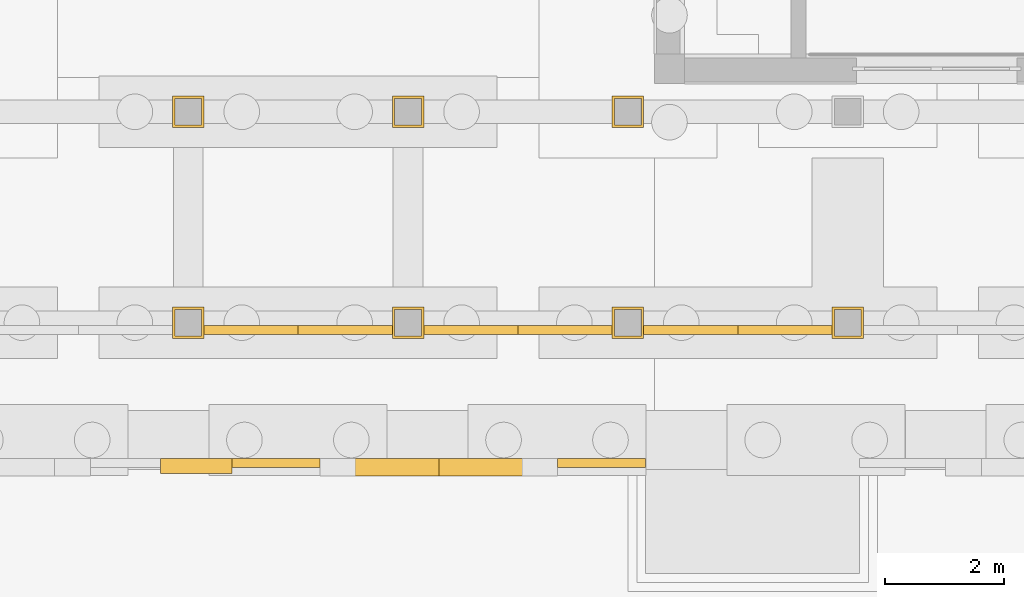
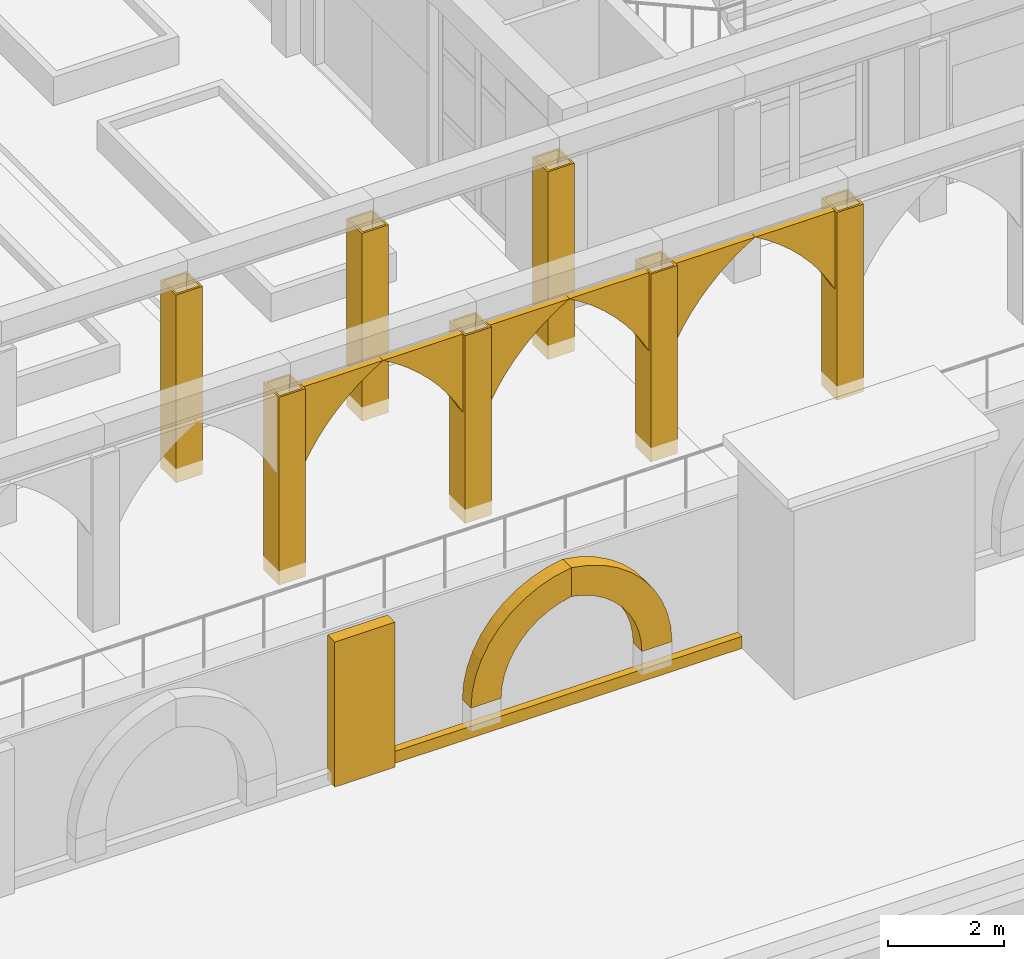
# One storey, part 97 of 161: 17 coverings.
"""IFC4 building model written with IfcOpenShell, lengths in metres."""

import ifcopenshell
import ifcopenshell.guid

model = None  # the IFC model being written
_history = None  # IfcOwnerHistory: only IFC2X3 demands one
_inside = {}  # id of a spatial element -> (the spatial element, [elements in it])
_under = {}  # id of a project, library or spatial element -> (it, [spatial elements below it])
_declared = {}  # id of a project -> (the project, [libraries it declares])
_typed = {}  # id of a type object -> (the type object, [elements of that type])
_made_of = {}  # id of a material, layer set ... -> (it, [elements and type objects made of it])


def new_model(schema):
    """Start an empty IFC model of exactly this schema.

    Asked for "IFC4X3", IfcOpenShell would pick the latest addendum, in which some entities
    have other attributes; the version numbers below select the first issue.
    IFC2X3 requires an IfcOwnerHistory on every rooted entity: one is made here for all.
    """
    global model, _history
    if schema == "IFC4X3":
        model = ifcopenshell.file(schema_version=(4, 3, 0, 0))
    else:
        model = ifcopenshell.file(schema=schema)
    _inside.clear()
    _under.clear()
    _declared.clear()
    _typed.clear()
    _made_of.clear()
    _history = None
    if model.schema == "IFC2X3":
        org = make("IfcOrganization", Name="unknown")
        user = make(
            "IfcPersonAndOrganization",
            ThePerson=make("IfcPerson", FamilyName="unknown"),
            TheOrganization=org,
        )
        app = make(
            "IfcApplication",
            ApplicationDeveloper=org,
            Version="unknown",
            ApplicationFullName="unknown",
            ApplicationIdentifier="unknown",
        )
        _history = make(
            "IfcOwnerHistory",
            OwningUser=user,
            OwningApplication=app,
            ChangeAction="ADDED",
            CreationDate=0,
        )
    return model


def make(cls, **values):
    """One entity of the class cls with the attributes given. An attribute that is None is left unset."""
    return model.create_entity(
        cls, **{name: value for name, value in values.items() if value is not None}
    )


def rooted(cls, **values):
    """An entity with a GlobalId (a new one), such as an element, a storey or a relation."""
    return make(cls, GlobalId=ifcopenshell.guid.new(), OwnerHistory=_history, **values)


def si_unit(unit_type, name, prefix=None):
    """IfcSIUnit, for example si_unit("LENGTHUNIT", "METRE", prefix="MILLI")."""
    return make("IfcSIUnit", UnitType=unit_type, Prefix=prefix, Name=name)


def assignment(units):
    """IfcUnitAssignment: the units of a project."""
    return None if units is None else make("IfcUnitAssignment", Units=units)


def point(xyz):
    """IfcCartesianPoint."""
    return None if xyz is None else make("IfcCartesianPoint", Coordinates=xyz)


def direction(xyz):
    """IfcDirection."""
    return None if xyz is None else make("IfcDirection", DirectionRatios=xyz)


def frame(location, z_axis=None, x_axis=None):
    """IfcAxis2Placement3D, a coordinate frame: its origin and axes. An axis left out is left unset."""
    return make(
        "IfcAxis2Placement3D",
        Location=point(location),
        Axis=direction(z_axis),
        RefDirection=direction(x_axis),
    )


def origin():
    """The frame at (0, 0, 0) with its axes left unset."""
    return frame((0.0, 0.0, 0.0))


def place(relative_to, where):
    """IfcLocalPlacement: puts the frame where relative to a parent placement (None: the world)."""
    return make(
        "IfcLocalPlacement", PlacementRelTo=relative_to, RelativePlacement=where
    )


def context(
    kind, dimensions, precision=None, world=None, true_north=None, identifier=None
):
    """IfcGeometricRepresentationContext, for example the 3D "Model" context."""
    return make(
        "IfcGeometricRepresentationContext",
        ContextIdentifier=identifier,
        ContextType=kind,
        CoordinateSpaceDimension=dimensions,
        Precision=precision,
        WorldCoordinateSystem=world,
        TrueNorth=true_north,
    )


def subcontext(parent, identifier, kind, view, scale=None):
    """IfcGeometricRepresentationSubContext, for example "Body" below "Model"."""
    return make(
        "IfcGeometricRepresentationSubContext",
        ContextIdentifier=identifier,
        ContextType=kind,
        ParentContext=parent,
        TargetScale=scale,
        TargetView=view,
    )


def project(units=None, contexts=None):
    """IfcProject with its units and contexts."""
    return rooted(
        "IfcProject",
        Name="project",
        RepresentationContexts=contexts,
        UnitsInContext=assignment(units),
    )


def spatial(cls, under=None, at=None, **own):
    """A site, building, storey or space (cls), placed at a placement, below another one or the project."""
    s = rooted(cls, ObjectPlacement=at, **own)
    if under is not None:
        _under.setdefault(under.id(), (under, []))[1].append(s)
    return s


def polyline(points):
    """IfcPolyline through the points."""
    return make("IfcPolyline", Points=[point(p) for p in points])


def outline(outer, holes=None, kind="AREA"):
    """IfcArbitraryClosedProfileDef: a profile drawn as a closed curve; with holes, ...WithVoids."""
    if holes is None:
        return make("IfcArbitraryClosedProfileDef", ProfileType=kind, OuterCurve=outer)
    return make(
        "IfcArbitraryProfileDefWithVoids",
        ProfileType=kind,
        OuterCurve=outer,
        InnerCurves=holes,
    )


def extrude(swept, where, along, depth):
    """IfcExtrudedAreaSolid: the profile swept, set in the frame where, extruded along a direction by depth."""
    return make(
        "IfcExtrudedAreaSolid",
        SweptArea=swept,
        Position=where,
        ExtrudedDirection=direction(along),
        Depth=depth,
    )


def shape(context_of_items, identifier, shape_type, items):
    """IfcShapeRepresentation: the items that make up one representation, for example the "Body"."""
    return make(
        "IfcShapeRepresentation",
        ContextOfItems=context_of_items,
        RepresentationIdentifier=identifier,
        RepresentationType=shape_type,
        Items=items,
    )


def material(Name=None, Category=None):
    """IfcMaterial."""
    return make("IfcMaterial", Name=Name, Category=Category)


def layer(
    of_material, thickness, ventilated=None, Name=None, Category=None, Priority=None
):
    """IfcMaterialLayer: one layer of a wall or slab, of a material (None: an air gap)."""
    return make(
        "IfcMaterialLayer",
        Material=of_material,
        LayerThickness=thickness,
        IsVentilated=ventilated,
        Name=Name,
        Category=Category,
        Priority=Priority,
    )


def layer_set(layers, Name=None):
    """IfcMaterialLayerSet."""
    return make("IfcMaterialLayerSet", MaterialLayers=layers, LayerSetName=Name)


def made_of(thing, what):
    """Note that an element or type object is made of a material, layer set ...; save() writes the relation."""
    if what is not None:
        _made_of.setdefault(what.id(), (what, []))[1].append(thing)
    return thing


def type_object(cls, material=None, **own):
    """A type object (cls), such as IfcWallType, which elements share."""
    return made_of(rooted(cls, **own), material)


def element(
    cls,
    number,
    at=None,
    inside=None,
    cuts=None,
    type_object=None,
    material=None,
    context=None,
    identifier="Body",
    shape_type=None,
    held_by="IfcProductDefinitionShape",
    body=None,
    shapes=None,
    **own,
):
    """One element of the class cls, such as IfcWall. Its Tag is "e" and its number.

    at: its placement. inside: the storey or other place that contains it. cuts: it is an
    opening in that element (IfcRelVoidsElement). A single representation is given by context,
    identifier, shape_type and body (its items); several are given by shapes. held_by: the class
    of the entity that holds the representations. save() writes the other relations.
    """
    e = rooted(cls, Tag="e%d" % number, ObjectPlacement=at, **own)
    if body is not None:
        shapes = [shape(context, identifier, shape_type, body)]
    if shapes is not None:
        e.Representation = make(held_by, Representations=shapes)
    if inside is not None:
        _inside.setdefault(inside.id(), (inside, []))[1].append(e)
    if cuts is not None:
        rooted(
            "IfcRelVoidsElement", RelatingBuildingElement=cuts, RelatedOpeningElement=e
        )
    if type_object is not None:
        _typed.setdefault(type_object.id(), (type_object, []))[1].append(e)
    return made_of(e, material)


def aggregate(whole, parts):
    """IfcRelAggregates: a whole, such as a stair, and the parts it consists of."""
    return rooted("IfcRelAggregates", RelatingObject=whole, RelatedObjects=parts)


def save(model, path):
    """Write the relations noted so far, then the file.

    IfcRelAggregates (storeys below a building ...), IfcRelContainedInSpatialStructure (elements
    in a storey), IfcRelDefinesByType, IfcRelAssociatesMaterial and IfcRelDeclares: one each for
    every whole, place, type object, material and project.
    """
    for whole, parts in _under.values():
        aggregate(whole, parts)
    for where, things in _inside.values():
        rooted(
            "IfcRelContainedInSpatialStructure",
            RelatedElements=things,
            RelatingStructure=where,
        )
    for kind, things in _typed.values():
        rooted("IfcRelDefinesByType", RelatedObjects=things, RelatingType=kind)
    for what, things in _made_of.values():
        rooted("IfcRelAssociatesMaterial", RelatedObjects=things, RelatingMaterial=what)
    for by, libraries in _declared.values():
        rooted("IfcRelDeclares", RelatingContext=by, RelatedDefinitions=libraries)
    model.write(path)


model = new_model("IFC4")

# Units and contexts
model_context = context("Model", 3, precision=1e-05, world=origin(), true_north=direction((0.0, 1.0)))
body_context = subcontext(model_context, "Body", "Model", "MODEL_VIEW")
ifc_project = project(units=[si_unit("LENGTHUNIT", "METRE"), si_unit("AREAUNIT", "SQUARE_METRE"), si_unit("VOLUMEUNIT", "CUBIC_METRE"), si_unit("PLANEANGLEUNIT", "RADIAN"), si_unit("MASSUNIT", "GRAM", prefix="KILO")], contexts=[model_context])

# Site, building, storey
site_placement = place(None, origin())
site = spatial("IfcSite", under=ifc_project, at=site_placement, CompositionType="ELEMENT")
building_placement = place(site_placement, origin())
building = spatial("IfcBuilding", under=site, at=building_placement, Name="Elbe Cascade School", CompositionType="ELEMENT")
storey_placement = place(building_placement, origin())
storey = spatial("IfcBuildingStorey", under=building, at=storey_placement, Name="L00", CompositionType="ELEMENT", Elevation=0.0)

# Coverings
ifc_material_1 = material(Name="Sandstone - red", Category="masonry")
ifc_layer_1 = layer(ifc_material_1, 0.14990234375)
ifc_layer_set_1 = layer_set([ifc_layer_1], Name="Sandstone - red")
covering_type_1 = type_object("IfcCoveringType", Name="Plinth base course 150x250", PredefinedType="CLADDING", material=ifc_layer_set_1)
covering_1_placement = place(storey_placement, frame((0.0, 0.0, -3.10009765625)))
element("IfcCovering", 1, at=covering_1_placement, inside=storey, type_object=covering_type_1, Name="Plinth base course south 0.4.6", PredefinedType="CLADDING", context=body_context, shape_type="SweptSolid", body=[
    extrude(outline(polyline([(91.2333984375, -0.7099609375), (98.199951171875, -0.7099609375), (98.199951171875, -0.56005859375), (91.2333984375, -0.56005859375), (91.2333984375, -0.7099609375)])), origin(), (0.0, 0.0, 1.0), 0.25),
])
ifc_material_2 = material(Name="Sandstone - red", Category="masonry")
ifc_layer_2 = layer(ifc_material_2, 0.300048828125)
ifc_layer_set_2 = layer_set([ifc_layer_2], Name="Sandstone - red")
covering_type_2 = type_object("IfcCoveringType", Name="Plinth niche arch band 600x300", PredefinedType="CLADDING", material=ifc_layer_set_2)
covering_2_placement = place(storey_placement, frame((92.716796875, -0.860107421875, -2.35009765625), z_axis=(0.0, -1.0, 0.0), x_axis=(1.0, 0.0, 0.0)))
element("IfcCovering", 2, at=covering_2_placement, inside=storey, type_object=covering_type_2, Name="Plinth niche arch band south 0.4.6a", PredefinedType="CLADDING", context=body_context, shape_type="SweptSolid", body=[
    extrude(outline(polyline([(0.0, 0.0), (0.599853515625, 0.0), (0.616455078125, 0.234619140625), (0.665771484375, 0.464599609375), (0.74658203125, 0.685302734375), (0.85791015625, 0.892578125), (0.9970703125, 1.08203125), (1.161376953125, 1.250244140625), (1.34765625, 1.393798828125), (1.55224609375, 1.509521484375), (1.77099609375, 1.595703125), (2.0, 1.650146484375), (2.0, 2.256103515625), (1.676513671875, 2.193115234375), (1.365966796875, 2.083984375), (1.07421875, 1.930908203125), (0.8076171875, 1.737548828125), (0.572021484375, 1.507568359375), (0.371826171875, 1.245849609375), (0.211669921875, 0.9580078125), (0.0947265625, 0.650146484375), (0.023681640625, 0.32861328125), (0.0, 0.0)])), origin(), (0.0, 0.0, -1.0), 0.300048828125),
])
covering_3_placement = place(storey_placement, frame((96.69287109375, -0.860107421875, -2.021484375), z_axis=(0.0, -1.0, 0.0), x_axis=(-0.216459489286, 0.0, 0.976291600649)))
element("IfcCovering", 3, at=covering_3_placement, inside=storey, type_object=covering_type_2, Name="Plinth niche arch band south 0.4.6b", PredefinedType="CLADDING", context=body_context, shape_type="SweptSolid", body=[
    extrude(outline(polyline([(0.0, 0.0), (0.32934135960117644, 0.0), (0.6551644417049964, 0.04729296121112139), (0.9708493103907654, 0.14134607453088394), (1.2696444562943432, 0.2799052172108526), (1.545222228379718, 0.4603722209510249), (1.7917058001605646, 0.6787986155785705), (2.004304414248379, 0.9304949932625219), (2.178121620144654, 1.2102952412887826), (2.3095325423352664, 1.512001110288553), (1.7179417823715963, 1.6431662598021382), (1.6153248124213089, 1.4318531562628691), (1.483783040712662, 1.2367058500948127), (1.3265185703197675, 1.0620157711342504), (1.146045413213602, 0.9112266325612076), (0.946254849459528, 0.7872267157841368), (0.7311708184544712, 0.6923747507733593), (0.5047644130403548, 0.6287911150576317), (0.2717487496053557, 0.5974313901794459), (0.036545745541084515, 0.5990656517947303), (-0.1961045165427231, 0.6336432251247164), (-0.3260013487362735, 0.04777292375860029), (0.0, 0.0)])), origin(), (0.0, 0.0, -1.0), 0.300048828125),
])
ifc_material_3 = material(Name="Sandstone - red", Category="masonry")
ifc_layer_3 = layer(ifc_material_3, 0.25)
ifc_layer_set_3 = layer_set([ifc_layer_3], Name="Sandstone - red")
covering_type_3 = type_object("IfcCoveringType", Name="Plinth pilaster 1200x250", PredefinedType="CLADDING", material=ifc_layer_set_3)
covering_4_placement = place(storey_placement, frame((0.0, 0.0, -3.10009765625)))
element("IfcCovering", 4, at=covering_4_placement, inside=storey, type_object=covering_type_3, Name="Plinth pilaster south 0.4.5", PredefinedType="CLADDING", context=body_context, shape_type="SweptSolid", body=[
    extrude(outline(polyline([(90.033447265625, -0.81005859375), (91.2333984375, -0.81005859375), (91.2333984375, -0.56005859375), (90.033447265625, -0.56005859375), (90.033447265625, -0.81005859375)])), origin(), (0.0, 0.0, 1.0), 3.050048828125),
])
ifc_material_4 = material(Name="Sandstone - red", Category="masonry")
ifc_layer_4 = layer(ifc_material_4, 0.14990234375)
ifc_layer_set_4 = layer_set([ifc_layer_4], Name="Sandstone - red")
covering_type_4 = type_object("IfcCoveringType", Name="Sandstone arch spandrel 3170x150", PredefinedType="CLADDING", material=ifc_layer_set_4)
covering_5_placement = place(storey_placement, frame((90.764892578125, 1.52490234375, 3.64990234375), z_axis=(0.0, -1.0, 0.0), x_axis=(0.0, 0.0, -1.0)))
element("IfcCovering", 5, at=covering_5_placement, inside=storey, type_object=covering_type_4, Name="Colonnade arch spandrel 23l", PredefinedType="CLADDING", context=body_context, shape_type="SweptSolid", body=[
    extrude(outline(polyline([(0.0, 0.0), (1.64990234375, 0.0), (1.39697265625, 0.14208984375), (1.155029296875, 0.302001953125), (0.92529296875, 0.47900390625), (0.709228515625, 0.672119140625), (0.507568359375, 0.88037109375), (0.3212890625, 1.102783203125), (0.15185546875, 1.338134765625), (0.0, 1.585205078125), (0.0, 0.0)])), origin(), (0.0, 0.0, -1.0), 0.14990234375),
])
covering_6_placement = place(storey_placement, frame((92.35009765625, 1.52490234375, 3.64990234375), z_axis=(0.0, -1.0, 0.0), x_axis=(0.851716162106, 0.0, -0.524003415262)))
element("IfcCovering", 6, at=covering_6_placement, inside=storey, type_object=covering_type_4, Name="Colonnade arch spandrel 23r", PredefinedType="CLADDING", context=body_context, shape_type="SweptSolid", body=[
    extrude(outline(polyline([(0.0, 0.0), (0.28979862406807466, 0.0), (0.5790351354115117, -0.02098430766332937), (0.8660781113695626, -0.06309669056939587), (1.1491202762337052, -0.12572917022788543), (1.4270260923703046, -0.20843378413815372), (1.6981641371186122, -0.3113542998796086), (1.9611430118023847, -0.4336268779193272), (2.214491309750543, -0.5747235477618304), (1.3499368467761932, 0.8305249443074108), (0.0, 0.0)])), origin(), (0.0, 0.0, -1.0), 0.14990234375),
])
covering_7_placement = place(storey_placement, frame((94.465087890625, 1.52490234375, 3.64990234375), z_axis=(0.0, -1.0, 0.0), x_axis=(0.0, 0.0, -1.0)))
element("IfcCovering", 7, at=covering_7_placement, inside=storey, type_object=covering_type_4, Name="Colonnade arch spandrel 24l", PredefinedType="CLADDING", context=body_context, shape_type="SweptSolid", body=[
    extrude(outline(polyline([(0.0, 0.0), (1.64990234375, 0.0), (1.39697265625, 0.141845703125), (1.155029296875, 0.3017578125), (0.92529296875, 0.478759765625), (0.709228515625, 0.671875), (0.507568359375, 0.880126953125), (0.3212890625, 1.1025390625), (0.15185546875, 1.337890625), (0.0, 1.5849609375), (0.0, 0.0)])), origin(), (0.0, 0.0, -1.0), 0.14990234375),
])
covering_8_placement = place(storey_placement, frame((96.050048828125, 1.52490234375, 3.64990234375), z_axis=(0.0, -1.0, 0.0), x_axis=(0.851947232707, 0.0, -0.52362764698)))
element("IfcCovering", 8, at=covering_8_placement, inside=storey, type_object=covering_type_4, Name="Colonnade arch spandrel 24r", PredefinedType="CLADDING", context=body_context, shape_type="SweptSolid", body=[
    extrude(outline(polyline([(0.0, 0.0), (0.2900065908011918, 0.0), (0.5790258222713079, -0.021239735218986977), (0.8660501932777647, -0.06347873721038338), (1.1490647015553945, -0.12623606908103424), (1.4269340071906127, -0.20906326745450166), (1.6980266242612543, -0.3121033802272114), (1.960951535291733, -0.4344919541630051), (2.2142375666576024, -0.5757003697365862), (1.3503030846525463, 0.8299293662587784), (0.0, 0.0)])), origin(), (0.0, 0.0, -1.0), 0.14990234375),
])
covering_9_placement = place(storey_placement, frame((98.1650390625, 1.52490234375, 3.64990234375), z_axis=(0.0, -1.0, 0.0), x_axis=(0.0, 0.0, -1.0)))
element("IfcCovering", 9, at=covering_9_placement, inside=storey, type_object=covering_type_4, Name="Colonnade arch spandrel 25l", PredefinedType="CLADDING", context=body_context, shape_type="SweptSolid", body=[
    extrude(outline(polyline([(0.0, 0.0), (1.64990234375, 0.0), (1.39697265625, 0.141845703125), (1.155029296875, 0.3017578125), (0.92529296875, 0.478759765625), (0.709228515625, 0.671875), (0.507568359375, 0.88037109375), (0.3212890625, 1.1025390625), (0.15185546875, 1.337890625), (0.0, 1.5849609375), (0.0, 0.0)])), origin(), (0.0, 0.0, -1.0), 0.14990234375),
])
covering_10_placement = place(storey_placement, frame((99.75, 1.52490234375, 3.64990234375), z_axis=(0.0, -1.0, 0.0), x_axis=(0.851947232707, 0.0, -0.52362764698)))
element("IfcCovering", 10, at=covering_10_placement, inside=storey, type_object=covering_type_4, Name="Colonnade arch spandrel 25r", PredefinedType="CLADDING", context=body_context, shape_type="SweptSolid", body=[
    extrude(outline(polyline([(0.0, 0.0), (0.2900065908011918, 0.0), (0.5792338172011682, -0.021111896437985944), (0.8660501932777647, -0.06347873721038338), (1.1492726964852549, -0.12610823030003315), (1.4269340071906127, -0.20906326745450166), (1.6980266242612543, -0.3121033802272114), (1.960951535291733, -0.4344919541630051), (2.2142375666576024, -0.5757003697365862), (1.3503030846525463, 0.8299293662587784), (0.0, 0.0)])), origin(), (0.0, 0.0, -1.0), 0.14990234375),
])
ifc_material_5 = material(Name="Sandstone - red", Category="masonry")
ifc_layer_5 = layer(ifc_material_5, 0.0400390625)
ifc_layer_set_5 = layer_set([ifc_layer_5], Name="Sandstone - red")
covering_type_5 = type_object("IfcCoveringType", Name="Sandstone column cladding 40", PredefinedType="CLADDING", material=ifc_layer_set_5)
covering_11_placement = place(storey_placement, frame((0.0, 0.0, -0.300048828125)))
element("IfcCovering", 11, at=covering_11_placement, inside=storey, type_object=covering_type_5, Name="Colonnade column sandstone cladding F23", PredefinedType="CLADDING", context=body_context, shape_type="SweptSolid", body=[
    extrude(outline(polyline([(90.235107421875, 1.4599609375), (90.764892578125, 1.4599609375), (90.764892578125, 1.989990234375), (90.235107421875, 1.989990234375), (90.235107421875, 1.4599609375)]), holes=[polyline([(90.27490234375, 1.949951171875), (90.72509765625, 1.949951171875), (90.72509765625, 1.5), (90.27490234375, 1.5), (90.27490234375, 1.949951171875)])]), origin(), (0.0, 0.0, 1.0), 3.949951171875),
])
covering_12_placement = place(storey_placement, frame((0.0, 0.0, -0.300048828125)))
element("IfcCovering", 12, at=covering_12_placement, inside=storey, type_object=covering_type_5, Name="Colonnade column sandstone cladding F24", PredefinedType="CLADDING", context=body_context, shape_type="SweptSolid", body=[
    extrude(outline(polyline([(93.93505859375, 1.4599609375), (94.465087890625, 1.4599609375), (94.465087890625, 1.989990234375), (93.93505859375, 1.989990234375), (93.93505859375, 1.4599609375)]), holes=[polyline([(93.97509765625, 1.949951171875), (94.425048828125, 1.949951171875), (94.425048828125, 1.5), (93.97509765625, 1.5), (93.97509765625, 1.949951171875)])]), origin(), (0.0, 0.0, 1.0), 3.949951171875),
])
covering_13_placement = place(storey_placement, frame((0.0, 0.0, -0.300048828125)))
element("IfcCovering", 13, at=covering_13_placement, inside=storey, type_object=covering_type_5, Name="Colonnade column sandstone cladding F25", PredefinedType="CLADDING", context=body_context, shape_type="SweptSolid", body=[
    extrude(outline(polyline([(97.635009765625, 1.4599609375), (98.1650390625, 1.4599609375), (98.1650390625, 1.989990234375), (97.635009765625, 1.989990234375), (97.635009765625, 1.4599609375)]), holes=[polyline([(97.675048828125, 1.949951171875), (98.125, 1.949951171875), (98.125, 1.5), (97.675048828125, 1.5), (97.675048828125, 1.949951171875)])]), origin(), (0.0, 0.0, 1.0), 3.949951171875),
])
covering_14_placement = place(storey_placement, frame((0.0, 0.0, -0.300048828125)))
element("IfcCovering", 14, at=covering_14_placement, inside=storey, type_object=covering_type_5, Name="Colonnade column sandstone cladding F26", PredefinedType="CLADDING", context=body_context, shape_type="SweptSolid", body=[
    extrude(outline(polyline([(101.3349609375, 1.4599609375), (101.864990234375, 1.4599609375), (101.864990234375, 1.989990234375), (101.3349609375, 1.989990234375), (101.3349609375, 1.4599609375)]), holes=[polyline([(101.375, 1.949951171875), (101.824951171875, 1.949951171875), (101.824951171875, 1.5), (101.375, 1.5), (101.375, 1.949951171875)])]), origin(), (0.0, 0.0, 1.0), 3.949951171875),
])
covering_15_placement = place(storey_placement, frame((0.0, 0.0, -0.300048828125)))
element("IfcCovering", 15, at=covering_15_placement, inside=storey, type_object=covering_type_5, Name="Colonnade column sandstone cladding R23", PredefinedType="CLADDING", context=body_context, shape_type="SweptSolid", body=[
    extrude(outline(polyline([(90.235107421875, 5.010009765625), (90.764892578125, 5.010009765625), (90.764892578125, 5.5400390625), (90.235107421875, 5.5400390625), (90.235107421875, 5.010009765625)]), holes=[polyline([(90.27490234375, 5.5), (90.72509765625, 5.5), (90.72509765625, 5.050048828125), (90.27490234375, 5.050048828125), (90.27490234375, 5.5)])]), origin(), (0.0, 0.0, 1.0), 3.949951171875),
])
covering_16_placement = place(storey_placement, frame((0.0, 0.0, -0.300048828125)))
element("IfcCovering", 16, at=covering_16_placement, inside=storey, type_object=covering_type_5, Name="Colonnade column sandstone cladding R24", PredefinedType="CLADDING", context=body_context, shape_type="SweptSolid", body=[
    extrude(outline(polyline([(93.93505859375, 5.010009765625), (94.465087890625, 5.010009765625), (94.465087890625, 5.5400390625), (93.93505859375, 5.5400390625), (93.93505859375, 5.010009765625)]), holes=[polyline([(93.97509765625, 5.5), (94.425048828125, 5.5), (94.425048828125, 5.050048828125), (93.97509765625, 5.050048828125), (93.97509765625, 5.5)])]), origin(), (0.0, 0.0, 1.0), 3.949951171875),
])
covering_17_placement = place(storey_placement, frame((0.0, 0.0, -0.300048828125)))
element("IfcCovering", 17, at=covering_17_placement, inside=storey, type_object=covering_type_5, Name="Colonnade column sandstone cladding R25", PredefinedType="CLADDING", context=body_context, shape_type="SweptSolid", body=[
    extrude(outline(polyline([(97.635009765625, 5.010009765625), (98.1650390625, 5.010009765625), (98.1650390625, 5.5400390625), (97.635009765625, 5.5400390625), (97.635009765625, 5.010009765625)]), holes=[polyline([(97.675048828125, 5.5), (98.125, 5.5), (98.125, 5.050048828125), (97.675048828125, 5.050048828125), (97.675048828125, 5.5)])]), origin(), (0.0, 0.0, 1.0), 3.949951171875),
])

save(model, "model.ifc")
